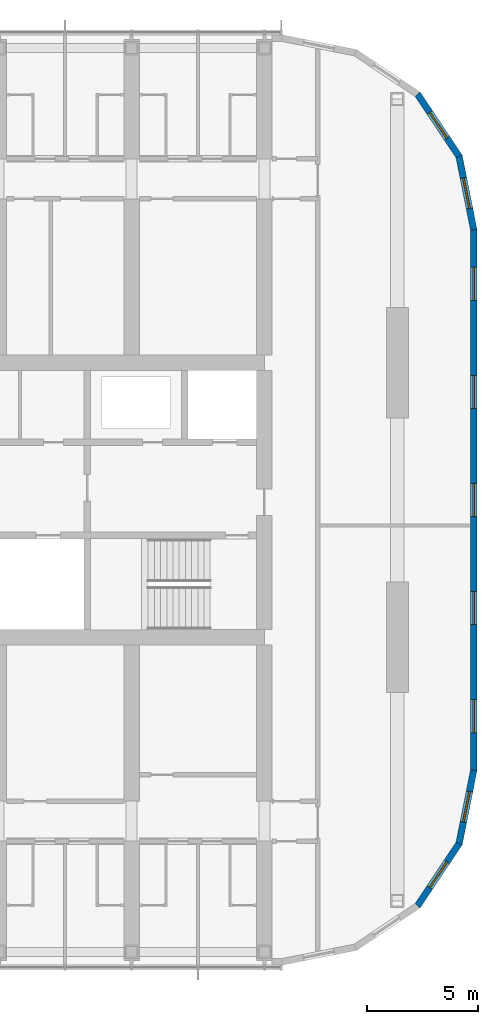
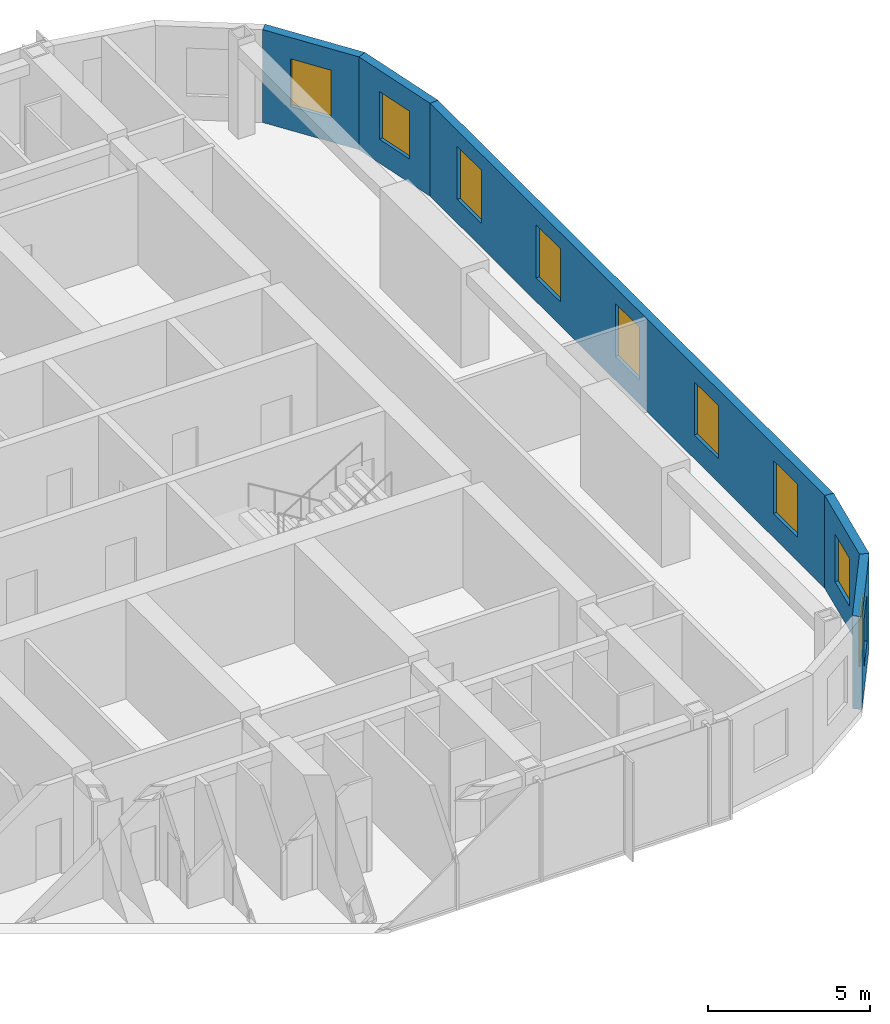
# One storey, part 19 of 24: 9 windows, 5 walls, 9 openings.
"""IFC4 building model written with IfcOpenShell, lengths in metres."""

from ifc_helpers import new_model, si_unit, direction, frame, frame_2d, origin, place, context, subcontext, project, spatial, polyline, rectangle, outline, extrude, material, layer, layer_set, type_object, element, fill, save


model = new_model("IFC4")

# Units and contexts
model_context = context("Model", 3, precision=1e-05, world=origin(), true_north=direction((0.0, 1.0)))
body_context = subcontext(model_context, "Body", "Model", "MODEL_VIEW")
ifc_project = project(units=[si_unit("LENGTHUNIT", "METRE"), si_unit("AREAUNIT", "SQUARE_METRE"), si_unit("VOLUMEUNIT", "CUBIC_METRE"), si_unit("PLANEANGLEUNIT", "RADIAN"), si_unit("MASSUNIT", "GRAM", prefix="KILO")], contexts=[model_context])

# Site, building, storey
site_placement = place(None, origin())
site = spatial("IfcSite", under=ifc_project, at=site_placement, CompositionType="ELEMENT")
building_placement = place(site_placement, origin())
building = spatial("IfcBuilding", under=site, at=building_placement, Name="Orbita Commons", CompositionType="ELEMENT")
storey_placement = place(building_placement, frame((0.0, 0.0, 239.050048828125)))
storey = spatial("IfcBuildingStorey", under=building, at=storey_placement, Name="L59", CompositionType="ELEMENT", Elevation=239.050048828125)

# Wall, openings, windows
ifc_material_1 = material(Name="Precast concrete C40/50, white board-marked finish", Category="concrete")
ifc_layer = layer(ifc_material_1, 0.300048828125)
ifc_layer_set = layer_set([ifc_layer], Name="Precast concrete C40/50, white board-marked finish")
wall_type = type_object("IfcWallType", Name="Precast concrete end shield 300", PredefinedType="SOLIDWALL", material=ifc_layer_set)
wall_1_placement = place(storey_placement, frame((75.449951171875, 19.800048828125, 0.0), z_axis=(0.0, 0.0, 1.0), x_axis=(0.0, 1.0, 0.0)))
wall_1 = element("IfcWall", 1, at=wall_1_placement, inside=storey, type_object=wall_type, Name="End shield E L59", PredefinedType="SOLIDWALL", context=body_context, shape_type="SweptSolid", body=[
    extrude(outline(polyline([(-0.014892578125, -0.14990234375), (24.414794921875, -0.14990234375), (24.385009765625, 0.14990234375), (0.014892578125, 0.14990234375), (-0.014892578125, -0.14990234375)])), origin(), (0.0, 0.0, 1.0), 3.5),
])
opening_1_placement = place(wall_1_placement, frame((1.68994140625, 0.0, 0.89990234375)))
opening_1 = element("IfcOpeningElement", 2, at=opening_1_placement, cuts=wall_1, Name="Opening W01", PredefinedType="OPENING", context=body_context, shape_type="SweptSolid", body=[
    extrude(rectangle(XDim=1.5, YDim=2.0, at=frame_2d((0.75, 1.0))), frame((0.0, 0.159912109375, 0.0), z_axis=(0.0, -1.0, 0.0), x_axis=(1.0, 0.0, 0.0)), (0.0, 0.0, 1.0), 0.320068359375),
])
opening_2_placement = place(wall_1_placement, frame((6.570068359375, 0.0, 0.89990234375)))
opening_2 = element("IfcOpeningElement", 3, at=opening_2_placement, cuts=wall_1, Name="Opening W01", PredefinedType="OPENING", context=body_context, shape_type="SweptSolid", body=[
    extrude(rectangle(XDim=1.5, YDim=2.0, at=frame_2d((0.75, 1.0))), frame((0.0, 0.159912109375, 0.0), z_axis=(0.0, -1.0, 0.0), x_axis=(1.0, 0.0, 0.0)), (0.0, 0.0, 1.0), 0.320068359375),
])
opening_3_placement = place(wall_1_placement, frame((11.449951171875, 0.0, 0.89990234375)))
opening_3 = element("IfcOpeningElement", 4, at=opening_3_placement, cuts=wall_1, Name="Opening W01", PredefinedType="OPENING", context=body_context, shape_type="SweptSolid", body=[
    extrude(rectangle(XDim=1.5, YDim=2.0, at=frame_2d((0.75, 1.0))), frame((0.0, 0.159912109375, 0.0), z_axis=(0.0, -1.0, 0.0), x_axis=(1.0, 0.0, 0.0)), (0.0, 0.0, 1.0), 0.320068359375),
])
opening_4_placement = place(wall_1_placement, frame((16.330078125, 0.0, 0.89990234375)))
opening_4 = element("IfcOpeningElement", 5, at=opening_4_placement, cuts=wall_1, Name="Opening W01", PredefinedType="OPENING", context=body_context, shape_type="SweptSolid", body=[
    extrude(rectangle(XDim=1.5, YDim=2.0, at=frame_2d((0.75, 1.0))), frame((0.0, 0.159912109375, 0.0), z_axis=(0.0, -1.0, 0.0), x_axis=(1.0, 0.0, 0.0)), (0.0, 0.0, 1.0), 0.320068359375),
])
opening_5_placement = place(wall_1_placement, frame((21.2099609375, 0.0, 0.89990234375)))
opening_5 = element("IfcOpeningElement", 6, at=opening_5_placement, cuts=wall_1, Name="Opening W01", PredefinedType="OPENING", context=body_context, shape_type="SweptSolid", body=[
    extrude(rectangle(XDim=1.5, YDim=2.0, at=frame_2d((0.75, 1.0))), frame((0.0, 0.159912109375, 0.0), z_axis=(0.0, -1.0, 0.0), x_axis=(1.0, 0.0, 0.0)), (0.0, 0.0, 1.0), 0.320068359375),
])
ifc_material_2 = material(Name="Aluminium frame, clear double glazing", Category="aluminium")
window_type_1 = type_object("IfcWindowType", Name="Deep-set window 1500x2000", PartitioningType="SINGLE_PANEL", PredefinedType="WINDOW", material=ifc_material_2)
window_1_placement = place(opening_1_placement, origin())
window_1 = element("IfcWindow", 7, at=window_1_placement, inside=storey, type_object=window_type_1, Name="Window L59-E 1", OverallHeight=2.0, OverallWidth=1.5, PartitioningType="SINGLE_PANEL", PredefinedType="WINDOW", context=body_context, shape_type="SweptSolid", body=[
    extrude(rectangle(XDim=1.5, YDim=2.0, at=frame_2d((0.75, 1.0))), frame((0.0, 0.030029296875, 0.0), z_axis=(0.0, -1.0, 0.0), x_axis=(1.0, 0.0, 0.0)), (0.0, 0.0, 1.0), 0.06005859375),
])
fill(opening_1, window_1)
window_2_placement = place(opening_2_placement, origin())
window_2 = element("IfcWindow", 8, at=window_2_placement, inside=storey, type_object=window_type_1, Name="Window L59-E 2", OverallHeight=2.0, OverallWidth=1.5, PartitioningType="SINGLE_PANEL", PredefinedType="WINDOW", context=body_context, shape_type="SweptSolid", body=[
    extrude(rectangle(XDim=1.5, YDim=2.0, at=frame_2d((0.75, 1.0))), frame((0.0, 0.030029296875, 0.0), z_axis=(0.0, -1.0, 0.0), x_axis=(1.0, 0.0, 0.0)), (0.0, 0.0, 1.0), 0.06005859375),
])
fill(opening_2, window_2)
window_3_placement = place(opening_3_placement, origin())
window_3 = element("IfcWindow", 9, at=window_3_placement, inside=storey, type_object=window_type_1, Name="Window L59-E 3", OverallHeight=2.0, OverallWidth=1.5, PartitioningType="SINGLE_PANEL", PredefinedType="WINDOW", context=body_context, shape_type="SweptSolid", body=[
    extrude(rectangle(XDim=1.5, YDim=2.0, at=frame_2d((0.75, 1.0))), frame((0.0, 0.030029296875, 0.0), z_axis=(0.0, -1.0, 0.0), x_axis=(1.0, 0.0, 0.0)), (0.0, 0.0, 1.0), 0.06005859375),
])
fill(opening_3, window_3)
window_4_placement = place(opening_4_placement, origin())
window_4 = element("IfcWindow", 10, at=window_4_placement, inside=storey, type_object=window_type_1, Name="Window L59-E 4", OverallHeight=2.0, OverallWidth=1.5, PartitioningType="SINGLE_PANEL", PredefinedType="WINDOW", context=body_context, shape_type="SweptSolid", body=[
    extrude(rectangle(XDim=1.5, YDim=2.0, at=frame_2d((0.75, 1.0))), frame((0.0, 0.030029296875, 0.0), z_axis=(0.0, -1.0, 0.0), x_axis=(1.0, 0.0, 0.0)), (0.0, 0.0, 1.0), 0.06005859375),
])
fill(opening_4, window_4)
window_5_placement = place(opening_5_placement, origin())
window_5 = element("IfcWindow", 11, at=window_5_placement, inside=storey, type_object=window_type_1, Name="Window L59-E 5", OverallHeight=2.0, OverallWidth=1.5, PartitioningType="SINGLE_PANEL", PredefinedType="WINDOW", context=body_context, shape_type="SweptSolid", body=[
    extrude(rectangle(XDim=1.5, YDim=2.0, at=frame_2d((0.75, 1.0))), frame((0.0, 0.030029296875, 0.0), z_axis=(0.0, -1.0, 0.0), x_axis=(1.0, 0.0, 0.0)), (0.0, 0.0, 1.0), 0.06005859375),
])
fill(opening_5, window_5)

# Wall, opening, window
wall_2_placement = place(storey_placement, frame((72.91650390625, 13.68359375, 0.0), z_axis=(0.0, 0.0, 1.0), x_axis=(0.555567969291, 0.831471124873, 0.0)))
wall_2 = element("IfcWall", 12, at=wall_2_placement, inside=storey, type_object=wall_type, Name="End shield SE chord 3 L59", PredefinedType="SOLIDWALL", context=body_context, shape_type="SweptSolid", body=[
    extrude(outline(polyline([(-0.02978515625, -0.14990234375), (3.40478515625, -0.14990234375), (3.34521484375, 0.14990234375), (0.02978515625, 0.14990234375), (-0.02978515625, -0.14990234375)])), origin(), (0.0, 0.0, 1.0), 3.5),
])
opening_6_placement = place(wall_2_placement, frame((0.987548828125, 0.0, 0.89990234375)))
opening_6 = element("IfcOpeningElement", 13, at=opening_6_placement, cuts=wall_2, Name="Opening W02", PredefinedType="OPENING", context=body_context, shape_type="SweptSolid", body=[
    extrude(rectangle(XDim=1.39990234375, YDim=1.800048828125, at=frame_2d((0.699951171875, 0.89990234375))), frame((0.0, 0.159912109375, 0.0), z_axis=(0.0, -1.0, 0.0), x_axis=(1.0, 0.0, 0.0)), (0.0, 0.0, 1.0), 0.320068359375),
])
ifc_material_3 = material(Name="Aluminium frame, clear double glazing", Category="aluminium")
window_type_2 = type_object("IfcWindowType", Name="Deep-set window 1400x1800", PartitioningType="SINGLE_PANEL", PredefinedType="WINDOW", material=ifc_material_3)
window_6_placement = place(opening_6_placement, origin())
window_6 = element("IfcWindow", 14, at=window_6_placement, inside=storey, type_object=window_type_2, Name="Window L59-SE2", OverallHeight=1.800048828125, OverallWidth=1.39990234375, PartitioningType="SINGLE_PANEL", PredefinedType="WINDOW", context=body_context, shape_type="SweptSolid", body=[
    extrude(rectangle(XDim=1.39990234375, YDim=1.800048828125, at=frame_2d((0.699951171875, 0.89990234375))), frame((0.0, 0.030029296875, 0.0), z_axis=(0.0, -1.0, 0.0), x_axis=(1.0, 0.0, 0.0)), (0.0, 0.0, 1.0), 0.06005859375),
])
fill(opening_6, window_6)

wall_3_placement = place(storey_placement, frame((74.79150390625, 16.48974609375, 0.0), z_axis=(0.0, 0.0, 1.0), x_axis=(0.19508664885, 0.980786011034, 0.0)))
wall_3 = element("IfcWall", 15, at=wall_3_placement, inside=storey, type_object=wall_type, Name="End shield SE chord 4 L59", PredefinedType="SOLIDWALL", context=body_context, shape_type="SweptSolid", body=[
    extrude(outline(polyline([(-0.02978515625, -0.14990234375), (3.39013671875, -0.14990234375), (3.3603515625, 0.14990234375), (0.02978515625, 0.14990234375), (-0.02978515625, -0.14990234375)])), origin(), (0.0, 0.0, 1.0), 3.5),
])
opening_7_placement = place(wall_3_placement, frame((0.987548828125, 0.0, 0.89990234375)))
opening_7 = element("IfcOpeningElement", 16, at=opening_7_placement, cuts=wall_3, Name="Opening W02", PredefinedType="OPENING", context=body_context, shape_type="SweptSolid", body=[
    extrude(rectangle(XDim=1.39990234375, YDim=1.800048828125, at=frame_2d((0.699951171875, 0.89990234375))), frame((0.0, 0.159912109375, 0.0), z_axis=(0.0, -1.0, 0.0), x_axis=(1.0, 0.0, 0.0)), (0.0, 0.0, 1.0), 0.320068359375),
])
window_7_placement = place(opening_7_placement, origin())
window_7 = element("IfcWindow", 17, at=window_7_placement, inside=storey, type_object=window_type_2, Name="Window L59-SE3", OverallHeight=1.800048828125, OverallWidth=1.39990234375, PartitioningType="SINGLE_PANEL", PredefinedType="WINDOW", context=body_context, shape_type="SweptSolid", body=[
    extrude(rectangle(XDim=1.39990234375, YDim=1.800048828125, at=frame_2d((0.699951171875, 0.89990234375))), frame((0.0, 0.030029296875, 0.0), z_axis=(0.0, -1.0, 0.0), x_axis=(1.0, 0.0, 0.0)), (0.0, 0.0, 1.0), 0.06005859375),
])
fill(opening_7, window_7)

wall_4_placement = place(storey_placement, frame((75.449951171875, 44.199951171875, 0.0), z_axis=(0.0, 0.0, 1.0), x_axis=(-0.19508664885, 0.980786011034, 0.0)))
wall_4 = element("IfcWall", 18, at=wall_4_placement, inside=storey, type_object=wall_type, Name="End shield NE chord 1 L59", PredefinedType="SOLIDWALL", context=body_context, shape_type="SweptSolid", body=[
    extrude(outline(polyline([(-0.014892578125, -0.14990234375), (3.405029296875, -0.14990234375), (3.345458984375, 0.14990234375), (0.014892578125, 0.14990234375), (-0.014892578125, -0.14990234375)])), origin(), (0.0, 0.0, 1.0), 3.5),
])
opening_8_placement = place(wall_4_placement, frame((0.987548828125, 0.0, 0.89990234375)))
opening_8 = element("IfcOpeningElement", 19, at=opening_8_placement, cuts=wall_4, Name="Opening W02", PredefinedType="OPENING", context=body_context, shape_type="SweptSolid", body=[
    extrude(rectangle(XDim=1.39990234375, YDim=1.800048828125, at=frame_2d((0.699951171875, 0.89990234375))), frame((0.0, 0.159912109375, 0.0), z_axis=(0.0, -1.0, 0.0), x_axis=(1.0, 0.0, 0.0)), (0.0, 0.0, 1.0), 0.320068359375),
])
window_8_placement = place(opening_8_placement, origin())
window_8 = element("IfcWindow", 20, at=window_8_placement, inside=storey, type_object=window_type_2, Name="Window L59-NE0", OverallHeight=1.800048828125, OverallWidth=1.39990234375, PartitioningType="SINGLE_PANEL", PredefinedType="WINDOW", context=body_context, shape_type="SweptSolid", body=[
    extrude(rectangle(XDim=1.39990234375, YDim=1.800048828125, at=frame_2d((0.699951171875, 0.89990234375))), frame((0.0, 0.030029296875, 0.0), z_axis=(0.0, -1.0, 0.0), x_axis=(1.0, 0.0, 0.0)), (0.0, 0.0, 1.0), 0.06005859375),
])
fill(opening_8, window_8)

wall_5_placement = place(storey_placement, frame((74.79150390625, 47.51025390625, 0.0), z_axis=(0.0, 0.0, 1.0), x_axis=(-0.555567969291, 0.831471124873, 0.0)))
wall_5 = element("IfcWall", 21, at=wall_5_placement, inside=storey, type_object=wall_type, Name="End shield NE chord 2 L59", PredefinedType="SOLIDWALL", context=body_context, shape_type="SweptSolid", body=[
    extrude(outline(polyline([(-0.02978515625, -0.14990234375), (3.40478515625, -0.14990234375), (3.34521484375, 0.14990234375), (0.02978515625, 0.14990234375), (-0.02978515625, -0.14990234375)])), origin(), (0.0, 0.0, 1.0), 3.5),
])
opening_9_placement = place(wall_5_placement, frame((0.987548828125, 0.0, 0.89990234375)))
opening_9 = element("IfcOpeningElement", 22, at=opening_9_placement, cuts=wall_5, Name="Opening W02", PredefinedType="OPENING", context=body_context, shape_type="SweptSolid", body=[
    extrude(rectangle(XDim=1.39990234375, YDim=1.800048828125, at=frame_2d((0.699951171875, 0.89990234375))), frame((0.0, 0.159912109375, 0.0), z_axis=(0.0, -1.0, 0.0), x_axis=(1.0, 0.0, 0.0)), (0.0, 0.0, 1.0), 0.320068359375),
])
window_9_placement = place(opening_9_placement, origin())
window_9 = element("IfcWindow", 23, at=window_9_placement, inside=storey, type_object=window_type_2, Name="Window L59-NE1", OverallHeight=1.800048828125, OverallWidth=1.39990234375, PartitioningType="SINGLE_PANEL", PredefinedType="WINDOW", context=body_context, shape_type="SweptSolid", body=[
    extrude(rectangle(XDim=1.39990234375, YDim=1.800048828125, at=frame_2d((0.699951171875, 0.89990234375))), frame((0.0, 0.030029296875, 0.0), z_axis=(0.0, -1.0, 0.0), x_axis=(1.0, 0.0, 0.0)), (0.0, 0.0, 1.0), 0.06005859375),
])
fill(opening_9, window_9)

save(model, "model.ifc")
